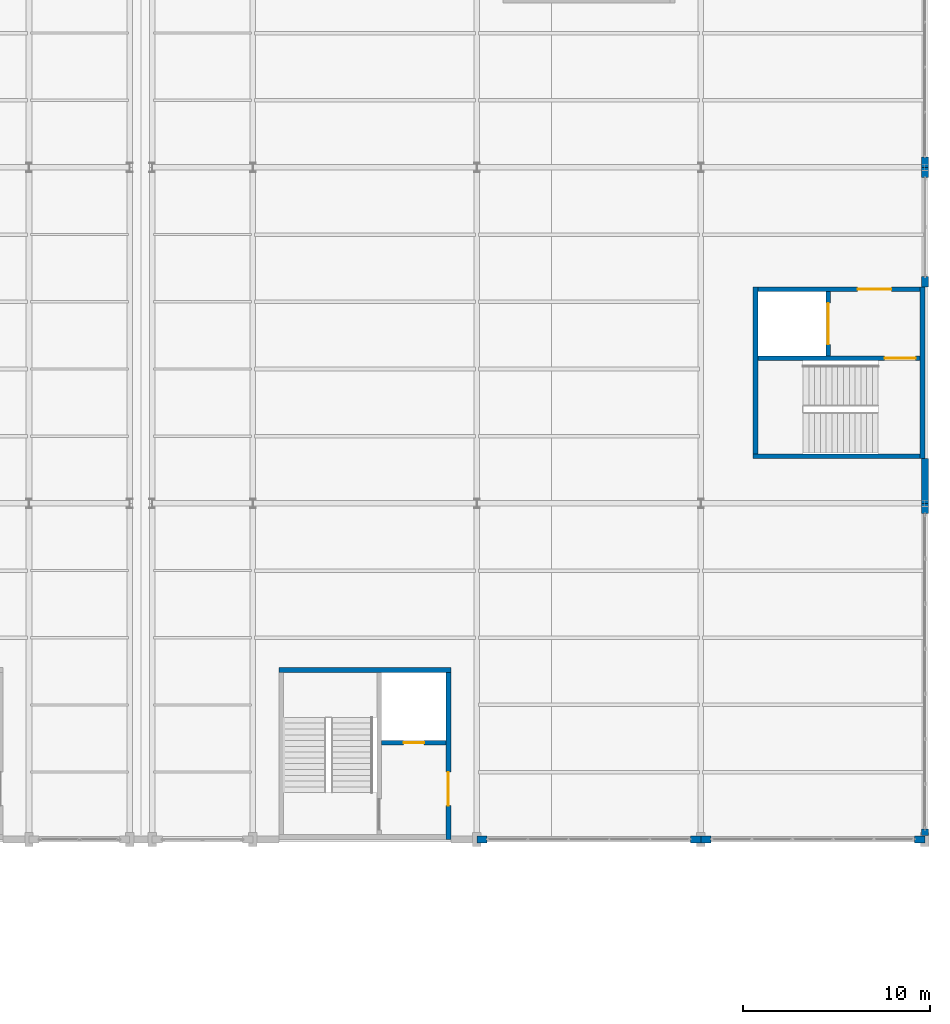
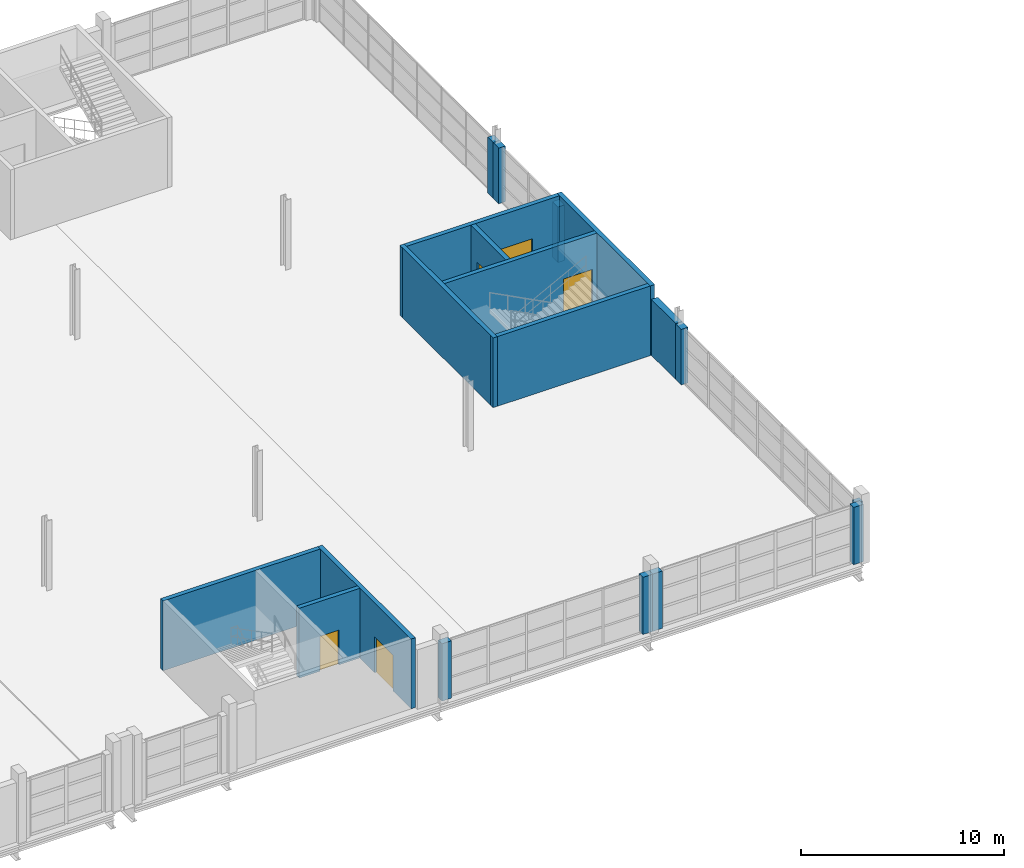
# One storey, part 138 of 147: 19 walls, 5 doors, 5 openings.
"""IFC4 building model written with IfcOpenShell, lengths in metres."""

from ifc_helpers import new_model, si_unit, direction, frame, frame_2d, origin, place, context, subcontext, project, spatial, rectangle, extrude, material, layer, layer_set, type_object, element, fill, save


model = new_model("IFC4")

# Units and contexts
model_context = context("Model", 3, precision=1e-05, world=origin(), true_north=direction((0.0, 1.0)))
body_context = subcontext(model_context, "Body", "Model", "MODEL_VIEW")
ifc_project = project(units=[si_unit("LENGTHUNIT", "METRE"), si_unit("AREAUNIT", "SQUARE_METRE"), si_unit("VOLUMEUNIT", "CUBIC_METRE"), si_unit("PLANEANGLEUNIT", "RADIAN"), si_unit("MASSUNIT", "GRAM", prefix="KILO")], contexts=[model_context])

# Site, building, storey
site_placement = place(None, origin())
site = spatial("IfcSite", under=ifc_project, at=site_placement, CompositionType="ELEMENT")
building_placement = place(site_placement, origin())
building = spatial("IfcBuilding", under=site, at=building_placement, Name="Zilviju Railside Exhibition Hall", CompositionType="ELEMENT")
storey_placement = place(building_placement, frame((0.0, 0.0, 8.39990234375)))
storey = spatial("IfcBuildingStorey", under=building, at=storey_placement, Name="L03", CompositionType="ELEMENT", Elevation=8.39990234375)

# Wall
ifc_material_1 = material(Name="Concrete C35/45", Category="concrete")
ifc_layer_1 = layer(ifc_material_1, 0.25)
ifc_layer_set_1 = layer_set([ifc_layer_1], Name="Concrete C35/45")
wall_type_1 = type_object("IfcWallType", Name="WL-CORE-250", PredefinedType="SHEAR", material=ifc_layer_set_1)
wall_1_placement = place(storey_placement, frame((181.39990234375, 93.074951171875, 0.0), z_axis=(0.0, 0.0, 1.0), x_axis=(1.0, 0.0, 0.0)))
element("IfcWall", 1, at=wall_1_placement, inside=storey, type_object=wall_type_1, Name="Core C07 North Hall Court East Core Rear Wall L03", PredefinedType="SHEAR", context=body_context, shape_type="SweptSolid", body=[
    extrude(rectangle(XDim=9.2001953125, YDim=0.25, at=frame_2d((4.60009765625, 0.0))), origin(), (0.0, 0.0, 1.0), 4.2001953125),
])

# Wall, opening, door
wall_2_placement = place(storey_placement, frame((190.47509765625, 84.0, 0.0), z_axis=(0.0, 0.0, 1.0), x_axis=(0.0, 1.0, 0.0)))
wall_2 = element("IfcWall", 2, at=wall_2_placement, inside=storey, type_object=wall_type_1, Name="Core C07 North Hall Court East Lobby Side Wall L03", PredefinedType="SHEAR", context=body_context, shape_type="SweptSolid", body=[
    extrude(rectangle(XDim=9.199951171875, YDim=0.25, at=frame_2d((4.60009765625, 0.0))), origin(), (0.0, 0.0, 1.0), 4.2001953125),
])
opening_1_placement = place(wall_2_placement, frame((1.800048828125, 0.0, 0.0)))
opening_1 = element("IfcOpeningElement", 3, at=opening_1_placement, cuts=wall_2, Name="Opening FD-02", PredefinedType="OPENING", context=body_context, shape_type="SweptSolid", body=[
    extrude(rectangle(XDim=1.800048828125, YDim=2.14990234375, at=frame_2d((0.89990234375, 1.074951171875))), frame((0.0, 0.135009765625, 0.0), z_axis=(0.0, -1.0, 0.0), x_axis=(1.0, 0.0, 0.0)), (0.0, 0.0, 1.0), 0.27001953125),
])
ifc_material_2 = material(Name="Self-closing glazed steel core lobby fire door EI 60", Category="steel")
door_type_1 = type_object("IfcDoorType", Name="DR-LOBBY-180x215", OperationType="NOTDEFINED", PredefinedType="DOOR", material=ifc_material_2)
door_1_placement = place(opening_1_placement, origin())
door_1 = element("IfcDoor", 4, at=door_1_placement, inside=storey, type_object=door_type_1, Name="Core C07 North Hall Court East Lobby Fire Door L03", OperationType="DOUBLE_DOOR_SINGLE_SWING", OverallHeight=2.14990234375, OverallWidth=1.800048828125, PredefinedType="DOOR", context=body_context, shape_type="SweptSolid", body=[
    extrude(rectangle(XDim=1.800048828125, YDim=2.14990234375, at=frame_2d((0.89990234375, 1.074951171875))), frame((0.0, 0.02490234375, 0.0), z_axis=(0.0, -1.0, 0.0), x_axis=(1.0, 0.0, 0.0)), (0.0, 0.0, 1.0), 0.050048828125),
])
fill(opening_1, door_1)

wall_3_placement = place(storey_placement, frame((186.89990234375, 89.175048828125, 0.0), z_axis=(0.0, 0.0, 1.0), x_axis=(1.0, 0.0, 0.0)))
wall_3 = element("IfcWall", 5, at=wall_3_placement, inside=storey, type_object=wall_type_1, Name="Core C07 North Hall Court East Lift Shaft Front Wall L03", PredefinedType="SHEAR", context=body_context, shape_type="SweptSolid", body=[
    extrude(rectangle(XDim=3.4501953125, YDim=0.25, at=frame_2d((1.72509765625, 0.0))), origin(), (0.0, 0.0, 1.0), 4.2001953125),
])
opening_2_placement = place(wall_3_placement, frame((1.175048828125, 0.0, 0.0)))
opening_2 = element("IfcOpeningElement", 6, at=opening_2_placement, cuts=wall_3, Name="Opening LD-01", PredefinedType="OPENING", context=body_context, shape_type="SweptSolid", body=[
    extrude(rectangle(XDim=1.10009765625, YDim=2.10009765625, at=frame_2d((0.550048828125, 1.050048828125))), frame((0.0, 0.135009765625, 0.0), z_axis=(0.0, -1.0, 0.0), x_axis=(1.0, 0.0, 0.0)), (0.0, 0.0, 1.0), 0.27001953125),
])
ifc_material_3 = material(Name="Passenger lift sliding landing door EI 60", Category="wood")
door_type_2 = type_object("IfcDoorType", Name="DR-LIFT-110x210", OperationType="NOTDEFINED", PredefinedType="DOOR", material=ifc_material_3)
door_2_placement = place(opening_2_placement, origin())
door_2 = element("IfcDoor", 7, at=door_2_placement, inside=storey, type_object=door_type_2, Name="Lift Landing Door LP-03 L03", OperationType="SLIDING_TO_LEFT", OverallHeight=2.10009765625, OverallWidth=1.10009765625, PredefinedType="DOOR", context=body_context, shape_type="SweptSolid", body=[
    extrude(rectangle(XDim=1.10009765625, YDim=2.10009765625, at=frame_2d((0.550048828125, 1.050048828125))), frame((0.0, 0.02490234375, 0.0), z_axis=(0.0, -1.0, 0.0), x_axis=(1.0, 0.0, 0.0)), (0.0, 0.0, 1.0), 0.050048828125),
])
fill(opening_2, door_2)

# Walls
wall_4_placement = place(storey_placement, frame((216.0, 104.52490234375, 0.0), z_axis=(0.0, 0.0, 1.0), x_axis=(-1.0, 0.0, 0.0)))
element("IfcWall", 8, at=wall_4_placement, inside=storey, type_object=wall_type_1, Name="Core C09 North Hall Gable East Stairwell Outer Wall L03", PredefinedType="SHEAR", context=body_context, shape_type="SweptSolid", body=[
    extrude(rectangle(XDim=9.199951171875, YDim=0.25, at=frame_2d((4.60009765625, 0.0))), origin(), (0.0, 0.0, 1.0), 4.2001953125),
])
wall_5_placement = place(storey_placement, frame((206.925048828125, 104.39990234375, 0.0), z_axis=(0.0, 0.0, 1.0), x_axis=(0.0, 1.0, 0.0)))
element("IfcWall", 9, at=wall_5_placement, inside=storey, type_object=wall_type_1, Name="Core C09 North Hall Gable East Core Rear Wall L03", PredefinedType="SHEAR", context=body_context, shape_type="SweptSolid", body=[
    extrude(rectangle(XDim=9.2001953125, YDim=0.25, at=frame_2d((4.60009765625, 0.0))), origin(), (0.0, 0.0, 1.0), 4.2001953125),
])

# Wall, opening, door
wall_6_placement = place(storey_placement, frame((216.0, 113.47509765625, 0.0), z_axis=(0.0, 0.0, 1.0), x_axis=(-1.0, 0.0, 0.0)))
wall_6 = element("IfcWall", 10, at=wall_6_placement, inside=storey, type_object=wall_type_1, Name="Core C09 North Hall Gable East Lobby Side Wall L03", PredefinedType="SHEAR", context=body_context, shape_type="SweptSolid", body=[
    extrude(rectangle(XDim=9.199951171875, YDim=0.25, at=frame_2d((4.60009765625, 0.0))), origin(), (0.0, 0.0, 1.0), 4.2001953125),
])
opening_3_placement = place(wall_6_placement, frame((1.800048828125, 0.0, 0.0)))
opening_3 = element("IfcOpeningElement", 11, at=opening_3_placement, cuts=wall_6, Name="Opening FD-02", PredefinedType="OPENING", context=body_context, shape_type="SweptSolid", body=[
    extrude(rectangle(XDim=1.800048828125, YDim=2.14990234375, at=frame_2d((0.89990234375, 1.074951171875))), frame((0.0, 0.135009765625, 0.0), z_axis=(0.0, -1.0, 0.0), x_axis=(1.0, 0.0, 0.0)), (0.0, 0.0, 1.0), 0.27001953125),
])
door_3_placement = place(opening_3_placement, origin())
door_3 = element("IfcDoor", 12, at=door_3_placement, inside=storey, type_object=door_type_1, Name="Core C09 North Hall Gable East Lobby Fire Door L03", OperationType="DOUBLE_DOOR_SINGLE_SWING", OverallHeight=2.14990234375, OverallWidth=1.800048828125, PredefinedType="DOOR", context=body_context, shape_type="SweptSolid", body=[
    extrude(rectangle(XDim=1.800048828125, YDim=2.14990234375, at=frame_2d((0.89990234375, 1.074951171875))), frame((0.0, 0.02490234375, 0.0), z_axis=(0.0, -1.0, 0.0), x_axis=(1.0, 0.0, 0.0)), (0.0, 0.0, 1.0), 0.050048828125),
])
fill(opening_3, door_3)

wall_7_placement = place(storey_placement, frame((215.75, 109.77490234375, 0.0), z_axis=(0.0, 0.0, 1.0), x_axis=(-1.0, 0.0, 0.0)))
wall_7 = element("IfcWall", 13, at=wall_7_placement, inside=storey, type_object=wall_type_1, Name="Core C09 North Hall Gable East Stairwell Partition Wall L03", PredefinedType="SHEAR", context=body_context, shape_type="SweptSolid", body=[
    extrude(rectangle(XDim=8.699951171875, YDim=0.25, at=frame_2d((4.35009765625, 0.0))), origin(), (0.0, 0.0, 1.0), 4.2001953125),
])
opening_4_placement = place(wall_7_placement, frame((0.25, 0.0, 0.0)))
opening_4 = element("IfcOpeningElement", 14, at=opening_4_placement, cuts=wall_7, Name="Opening FD-01", PredefinedType="OPENING", context=body_context, shape_type="SweptSolid", body=[
    extrude(rectangle(XDim=1.64990234375, YDim=2.10009765625, at=frame_2d((0.824951171875, 1.050048828125))), frame((0.0, 0.135009765625, 0.0), z_axis=(0.0, -1.0, 0.0), x_axis=(1.0, 0.0, 0.0)), (0.0, 0.0, 1.0), 0.27001953125),
])
ifc_material_4 = material(Name="Self-closing steel stair enclosure fire door EI 60", Category="steel")
door_type_3 = type_object("IfcDoorType", Name="DR-STAIR-165x210", OperationType="NOTDEFINED", PredefinedType="DOOR", material=ifc_material_4)
door_4_placement = place(opening_4_placement, origin())
door_4 = element("IfcDoor", 15, at=door_4_placement, inside=storey, type_object=door_type_3, Name="Core C09 North Hall Gable East Protected Stair Door L03", OperationType="SINGLE_SWING_RIGHT", OverallHeight=2.10009765625, OverallWidth=1.64990234375, PredefinedType="DOOR", context=body_context, shape_type="SweptSolid", body=[
    extrude(rectangle(XDim=1.64990234375, YDim=2.10009765625, at=frame_2d((0.824951171875, 1.050048828125))), frame((0.0, 0.02490234375, 0.0), z_axis=(0.0, -1.0, 0.0), x_axis=(1.0, 0.0, 0.0)), (0.0, 0.0, 1.0), 0.050048828125),
])
fill(opening_4, door_4)

wall_8_placement = place(storey_placement, frame((210.824951171875, 109.89990234375, 0.0), z_axis=(0.0, 0.0, 1.0), x_axis=(0.0, 1.0, 0.0)))
wall_8 = element("IfcWall", 16, at=wall_8_placement, inside=storey, type_object=wall_type_1, Name="Core C09 North Hall Gable East Lift Shaft Front Wall L03", PredefinedType="SHEAR", context=body_context, shape_type="SweptSolid", body=[
    extrude(rectangle(XDim=3.4501953125, YDim=0.25, at=frame_2d((1.72509765625, 0.0))), origin(), (0.0, 0.0, 1.0), 4.2001953125),
])
opening_5_placement = place(wall_8_placement, frame((0.625, 0.0, 0.0)))
opening_5 = element("IfcOpeningElement", 17, at=opening_5_placement, cuts=wall_8, Name="Opening LD-02", PredefinedType="OPENING", context=body_context, shape_type="SweptSolid", body=[
    extrude(rectangle(XDim=2.199951171875, YDim=2.35009765625, at=frame_2d((1.10009765625, 1.175048828125))), frame((0.0, 0.135009765625, 0.0), z_axis=(0.0, -1.0, 0.0), x_axis=(1.0, 0.0, 0.0)), (0.0, 0.0, 1.0), 0.27001953125),
])
ifc_material_5 = material(Name="Heavy freight lift sliding landing door EI 60", Category="wood")
door_type_4 = type_object("IfcDoorType", Name="DR-LIFT-220x235", OperationType="NOTDEFINED", PredefinedType="DOOR", material=ifc_material_5)
door_5_placement = place(opening_5_placement, origin())
door_5 = element("IfcDoor", 18, at=door_5_placement, inside=storey, type_object=door_type_4, Name="Lift Landing Door LF-03 L03", OperationType="SLIDING_TO_LEFT", OverallHeight=2.35009765625, OverallWidth=2.199951171875, PredefinedType="DOOR", context=body_context, shape_type="SweptSolid", body=[
    extrude(rectangle(XDim=2.199951171875, YDim=2.35009765625, at=frame_2d((1.10009765625, 1.175048828125))), frame((0.0, 0.02490234375, 0.0), z_axis=(0.0, -1.0, 0.0), x_axis=(1.0, 0.0, 0.0)), (0.0, 0.0, 1.0), 0.050048828125),
])
fill(opening_5, door_5)

# Walls
ifc_material_6 = material(Name="Concrete C40/50", Category="concrete")
ifc_layer_2 = layer(ifc_material_6, 0.25)
ifc_layer_set_2 = layer_set([ifc_layer_2], Name="Concrete C40/50")
wall_type_2 = type_object("IfcWallType", Name="WL-CORE-300", PredefinedType="SHEAR", material=ifc_layer_set_2)
wall_9_placement = place(storey_placement, frame((215.875, 113.60009765625, 0.0), z_axis=(0.0, 0.0, 1.0), x_axis=(0.0, -1.0, 0.0)))
element("IfcWall", 19, at=wall_9_placement, inside=storey, type_object=wall_type_2, Name="Core C09 North Hall Gable East Exterior Core Wall L03", PredefinedType="SHEAR", context=body_context, shape_type="SweptSolid", body=[
    extrude(rectangle(XDim=9.2001953125, YDim=0.25, at=frame_2d((4.60009765625, 0.0))), origin(), (0.0, 0.0, 1.0), 4.2001953125),
])
ifc_material_7 = material(Name="Insulated cream-brick upper facade wall", Category="masonry")
ifc_layer_3 = layer(ifc_material_7, 0.3798828125)
ifc_layer_set_3 = layer_set([ifc_layer_3], Name="Insulated cream-brick upper facade wall")
wall_type_3 = type_object("IfcWallType", Name="WL-EXT-380", PredefinedType="SOLIDWALL", material=ifc_layer_set_3)
wall_10_placement = place(storey_placement, frame((192.550048828125, 84.0, 0.0), z_axis=(0.0, 0.0, 1.0), x_axis=(-1.0, 0.0, 0.0)))
element("IfcWall", 20, at=wall_10_placement, inside=storey, type_object=wall_type_3, Name="Curtain-Wall Jamb Closure Pier L03 0243", PredefinedType="SOLIDWALL", context=body_context, shape_type="SweptSolid", body=[
    extrude(rectangle(XDim=0.548095703125, YDim=0.3798828125, at=frame_2d((0.27392578125, 0.0))), origin(), (0.0, 0.0, 1.0), 3.4501953125),
])
wall_11_placement = place(storey_placement, frame((204.0, 84.0, 0.0), z_axis=(0.0, 0.0, 1.0), x_axis=(-1.0, 0.0, 0.0)))
element("IfcWall", 21, at=wall_11_placement, inside=storey, type_object=wall_type_3, Name="Curtain-Wall Jamb Closure Pier L03 0244", PredefinedType="SOLIDWALL", context=body_context, shape_type="SweptSolid", body=[
    extrude(rectangle(XDim=0.550048828125, YDim=0.3798828125, at=frame_2d((0.27490234375, 0.0))), origin(), (0.0, 0.0, 1.0), 3.4501953125),
])
wall_12_placement = place(storey_placement, frame((204.550048828125, 84.0, 0.0), z_axis=(0.0, 0.0, 1.0), x_axis=(-1.0, 0.0, 0.0)))
element("IfcWall", 22, at=wall_12_placement, inside=storey, type_object=wall_type_3, Name="Curtain-Wall Jamb Closure Pier L03 0245", PredefinedType="SOLIDWALL", context=body_context, shape_type="SweptSolid", body=[
    extrude(rectangle(XDim=0.548095703125, YDim=0.3798828125, at=frame_2d((0.27392578125, 0.0))), origin(), (0.0, 0.0, 1.0), 3.4501953125),
])
wall_13_placement = place(storey_placement, frame((216.0, 84.0, 0.0), z_axis=(0.0, 0.0, 1.0), x_axis=(-1.0, 0.0, 0.0)))
element("IfcWall", 23, at=wall_13_placement, inside=storey, type_object=wall_type_3, Name="Curtain-Wall Jamb Closure Pier L03 0246", PredefinedType="SOLIDWALL", context=body_context, shape_type="SweptSolid", body=[
    extrude(rectangle(XDim=0.550048828125, YDim=0.3798828125, at=frame_2d((0.27490234375, 0.0))), origin(), (0.0, 0.0, 1.0), 3.4501953125),
])
wall_14_placement = place(storey_placement, frame((216.0, 84.550048828125, 0.0), z_axis=(0.0, 0.0, 1.0), x_axis=(0.0, -1.0, 0.0)))
element("IfcWall", 24, at=wall_14_placement, inside=storey, type_object=wall_type_3, Name="Curtain-Wall Jamb Closure Pier L03 0253", PredefinedType="SOLIDWALL", context=body_context, shape_type="SweptSolid", body=[
    extrude(rectangle(XDim=0.358154296875, YDim=0.3798828125, at=frame_2d((0.17919921875, 0.0))), origin(), (0.0, 0.0, 1.0), 3.35009765625),
])
wall_15_placement = place(storey_placement, frame((216.0, 101.998046875, 0.0), z_axis=(0.0, 0.0, 1.0), x_axis=(0.0, -1.0, 0.0)))
element("IfcWall", 25, at=wall_15_placement, inside=storey, type_object=wall_type_3, Name="Curtain-Wall Jamb Closure Pier L03 0254", PredefinedType="SOLIDWALL", context=body_context, shape_type="SweptSolid", body=[
    extrude(rectangle(XDim=0.548095703125, YDim=0.3798828125, at=frame_2d((0.27392578125, 0.0))), origin(), (0.0, 0.0, 1.0), 3.35009765625),
])
wall_16_placement = place(storey_placement, frame((216.0, 104.39990234375, 0.0), z_axis=(0.0, 0.0, 1.0), x_axis=(0.0, -1.0, 0.0)))
element("IfcWall", 26, at=wall_16_placement, inside=storey, type_object=wall_type_3, Name="Exterior Facade Wall L03 East 0255", PredefinedType="SOLIDWALL", context=body_context, shape_type="SweptSolid", body=[
    extrude(rectangle(XDim=2.39990234375, YDim=0.3798828125, at=frame_2d((1.199951171875, 0.0))), origin(), (0.0, 0.0, 1.0), 3.3701171875),
])
wall_17_placement = place(storey_placement, frame((216.0, 114.14990234375, 0.0), z_axis=(0.0, 0.0, 1.0), x_axis=(0.0, -1.0, 0.0)))
element("IfcWall", 27, at=wall_17_placement, inside=storey, type_object=wall_type_3, Name="Curtain-Wall Jamb Closure Pier L03 0256", PredefinedType="SOLIDWALL", context=body_context, shape_type="SweptSolid", body=[
    extrude(rectangle(XDim=0.5478515625, YDim=0.3798828125, at=frame_2d((0.27392578125, 0.0))), origin(), (0.0, 0.0, 1.0), 3.35009765625),
])
wall_18_placement = place(storey_placement, frame((216.0, 120.0, 0.0), z_axis=(0.0, 0.0, 1.0), x_axis=(0.0, -1.0, 0.0)))
element("IfcWall", 28, at=wall_18_placement, inside=storey, type_object=wall_type_3, Name="Curtain-Wall Jamb Closure Pier L03 0257", PredefinedType="SOLIDWALL", context=body_context, shape_type="SweptSolid", body=[
    extrude(rectangle(XDim=0.550048828125, YDim=0.3798828125, at=frame_2d((0.27490234375, 0.0))), origin(), (0.0, 0.0, 1.0), 3.35009765625),
])
wall_19_placement = place(storey_placement, frame((216.0, 120.550048828125, 0.0), z_axis=(0.0, 0.0, 1.0), x_axis=(0.0, -1.0, 0.0)))
element("IfcWall", 29, at=wall_19_placement, inside=storey, type_object=wall_type_3, Name="Curtain-Wall Jamb Closure Pier L03 0258", PredefinedType="SOLIDWALL", context=body_context, shape_type="SweptSolid", body=[
    extrude(rectangle(XDim=0.548095703125, YDim=0.3798828125, at=frame_2d((0.27392578125, 0.0))), origin(), (0.0, 0.0, 1.0), 3.35009765625),
])

save(model, "model.ifc")
